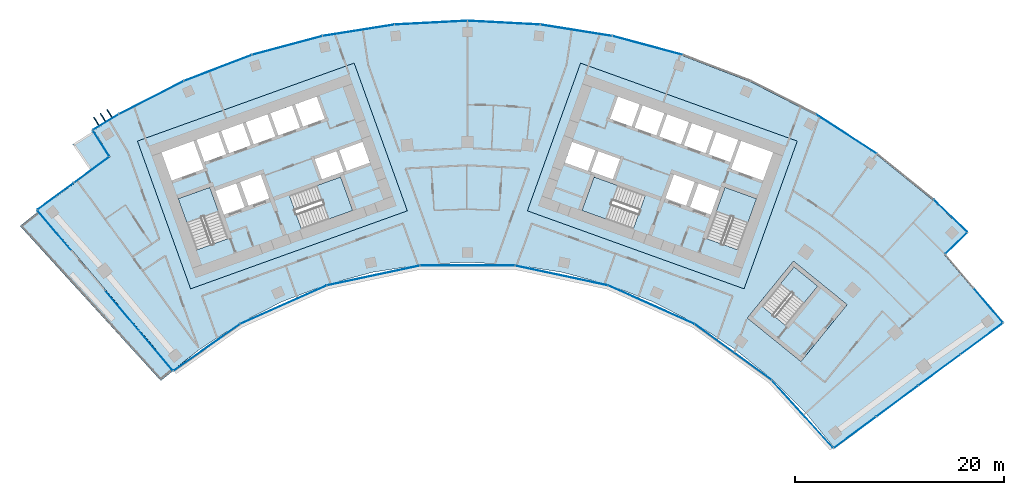
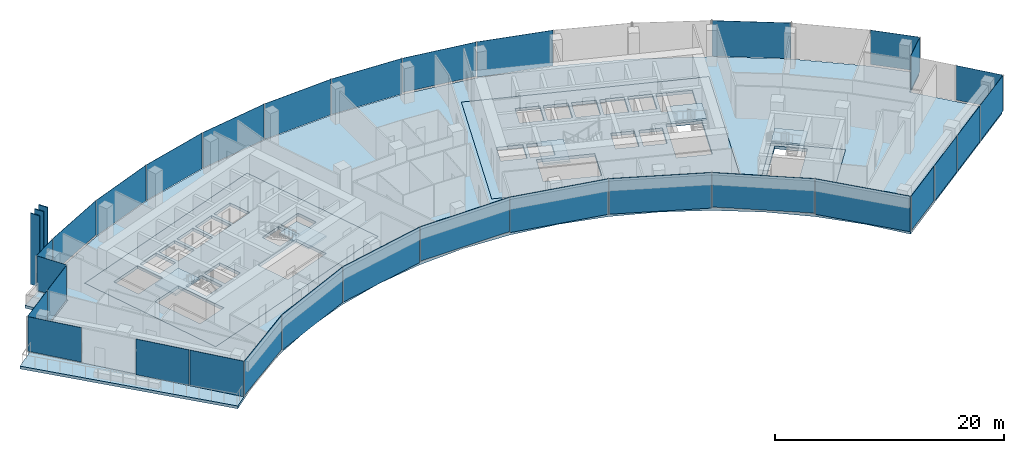
# One storey, part 9 of 18: 34 plates, 11 slabs, 13 elements without a shape of their own.
"""IFC4 building model written with IfcOpenShell, lengths in metres."""

from ifc_helpers import new_model, si_unit, direction, frame, origin, origin_2d, place, context, subcontext, project, spatial, polyline, rectangle, outline, extrude, material, layer, layer_set, type_object, element, aggregate, save


model = new_model("IFC4")

# Units and contexts
model_context = context("Model", 3, precision=1e-05, world=origin(), true_north=direction((0.0, 1.0)))
body_context = subcontext(model_context, "Body", "Model", "MODEL_VIEW")
ifc_project = project(units=[si_unit("LENGTHUNIT", "METRE"), si_unit("AREAUNIT", "SQUARE_METRE"), si_unit("VOLUMEUNIT", "CUBIC_METRE"), si_unit("PLANEANGLEUNIT", "RADIAN"), si_unit("MASSUNIT", "GRAM", prefix="KILO")], contexts=[model_context])

# Site, building, storey
site_placement = place(None, origin())
site = spatial("IfcSite", under=ifc_project, at=site_placement, CompositionType="ELEMENT")
building_placement = place(site_placement, origin())
building = spatial("IfcBuilding", under=site, at=building_placement, Name="Stone Belt Terrace Tower", CompositionType="ELEMENT")
storey_placement = place(building_placement, frame((0.0, 0.0, 239.0)))
storey = spatial("IfcBuildingStorey", under=building, at=storey_placement, Name="L58", CompositionType="ELEMENT", Elevation=239.0)

# Curtain wall, plates
ifc_material_1 = material(Name="Aluminium 6063-T6 anodised frame", Category="aluminium")
ifc_layer_1 = layer(ifc_material_1, 0.14990234375)
ifc_layer_set_1 = layer_set([ifc_layer_1], Name="CW-A unitised convex-face curtain wall")
curtain_wall_type_1 = type_object("IfcCurtainWallType", Name="CW-A unitised convex-face curtain wall", PredefinedType="NOTDEFINED", material=ifc_layer_set_1)
curtain_wall_1_placement = place(storey_placement, origin())
curtain_wall_1 = element("IfcCurtainWall", 1, at=curtain_wall_1_placement, inside=storey, type_object=curtain_wall_type_1, Name="CW-A convex face L58", PredefinedType="NOTDEFINED")
ifc_material_2 = material(Name="Clear double glazed unit")
ifc_layer_2 = layer(ifc_material_2, 0.031982421875)
ifc_layer_set_2 = layer_set([ifc_layer_2], Name="CW-A glass panel 32")
plate_type_1 = type_object("IfcPlateType", Name="CW-A glass panel 32", PredefinedType="CURTAIN_PANEL", material=ifc_layer_set_2)
plate_1_placement = place(storey_placement, frame((46.14599609375, 47.936767578125, 0.14013671875), z_axis=(0.0, 0.0, 1.0), x_axis=(-0.720604393579, 0.693346455933, 0.0)))
plate_1 = element("IfcPlate", 2, at=plate_1_placement, type_object=plate_type_1, Name="CW-A panel 1.1", PredefinedType="CURTAIN_PANEL", context=body_context, shape_type="SweptSolid", body=[
    extrude(rectangle(XDim=4.372314453125, YDim=0.031982421875, at=origin_2d()), origin(), (0.0, 0.0, 1.0), 3.659912109375),
])
plate_2_placement = place(storey_placement, frame((36.209716796875, 55.758056640625, 0.0), z_axis=(0.0, 0.0, 1.0), x_axis=(-0.838670567945, 0.544639035015, 0.0)))
plate_2 = element("IfcPlate", 3, at=plate_2_placement, type_object=plate_type_1, Name="CW-A panel 3.1", PredefinedType="CURTAIN_PANEL", context=body_context, shape_type="SweptSolid", body=[
    extrude(rectangle(XDim=6.90087890625, YDim=0.031982421875, at=origin_2d()), origin(), (0.0, 0.0, 1.0), 3.800048828125),
])
plate_3_placement = place(storey_placement, frame((17.207275390625, 64.218505859375, 0.0), z_axis=(0.0, 0.0, 1.0), x_axis=(-0.965925826289, 0.258819045103, 0.0)))
plate_3 = element("IfcPlate", 4, at=plate_3_placement, type_object=plate_type_1, Name="CW-A panel 6.1", PredefinedType="CURTAIN_PANEL", context=body_context, shape_type="SweptSolid", body=[
    extrude(rectangle(XDim=6.90087890625, YDim=0.031982421875, at=origin_2d()), origin(), (0.0, 0.0, 1.0), 3.800048828125),
])
plate_4_placement = place(storey_placement, frame((10.400390625, 65.665283203125, 0.14013671875), z_axis=(0.0, 0.0, 1.0), x_axis=(-0.987688340595, 0.15643446504, 0.0)))
plate_4 = element("IfcPlate", 5, at=plate_4_placement, type_object=plate_type_1, Name="CW-A panel 7.1", PredefinedType="CURTAIN_PANEL", context=body_context, shape_type="SweptSolid", body=[
    extrude(rectangle(XDim=6.90087890625, YDim=0.031982421875, at=origin_2d()), origin(), (0.0, 0.0, 1.0), 3.659912109375),
])
plate_5_placement = place(storey_placement, frame((3.4794921875, 66.392822265625, 0.0), z_axis=(0.0, 0.0, 1.0), x_axis=(-0.998629534755, 0.052335956243, 0.0)))
plate_5 = element("IfcPlate", 6, at=plate_5_placement, type_object=plate_type_1, Name="CW-A panel 8.1", PredefinedType="CURTAIN_PANEL", context=body_context, shape_type="SweptSolid", body=[
    extrude(rectangle(XDim=6.90087890625, YDim=0.031982421875, at=origin_2d()), origin(), (0.0, 0.0, 1.0), 3.800048828125),
])
plate_6_placement = place(storey_placement, frame((-3.4794921875, 66.392822265625, 0.0), z_axis=(0.0, 0.0, 1.0), x_axis=(-0.998629534755, -0.052335956243, 0.0)))
plate_6 = element("IfcPlate", 7, at=plate_6_placement, type_object=plate_type_1, Name="CW-A panel 9.1", PredefinedType="CURTAIN_PANEL", context=body_context, shape_type="SweptSolid", body=[
    extrude(rectangle(XDim=6.90087890625, YDim=0.031982421875, at=origin_2d()), origin(), (0.0, 0.0, 1.0), 3.800048828125),
])
plate_7_placement = place(storey_placement, frame((-10.400390625, 65.665283203125, 0.0), z_axis=(0.0, 0.0, 1.0), x_axis=(-0.987688340595, -0.15643446504, 0.0)))
plate_7 = element("IfcPlate", 8, at=plate_7_placement, type_object=plate_type_1, Name="CW-A panel 10.1", PredefinedType="CURTAIN_PANEL", context=body_context, shape_type="SweptSolid", body=[
    extrude(rectangle(XDim=6.90087890625, YDim=0.031982421875, at=origin_2d()), origin(), (0.0, 0.0, 1.0), 3.800048828125),
])
plate_8_placement = place(storey_placement, frame((-17.207275390625, 64.218505859375, 0.0), z_axis=(0.0, 0.0, 1.0), x_axis=(-0.965925826289, -0.258819045103, 0.0)))
plate_8 = element("IfcPlate", 9, at=plate_8_placement, type_object=plate_type_1, Name="CW-A panel 11.1", PredefinedType="CURTAIN_PANEL", context=body_context, shape_type="SweptSolid", body=[
    extrude(rectangle(XDim=6.90087890625, YDim=0.031982421875, at=origin_2d()), origin(), (0.0, 0.0, 1.0), 3.800048828125),
])
plate_9_placement = place(storey_placement, frame((-23.82568359375, 62.068115234375, 0.0), z_axis=(0.0, 0.0, 1.0), x_axis=(-0.933580426497, -0.358367949545, 0.0)))
plate_9 = element("IfcPlate", 10, at=plate_9_placement, type_object=plate_type_1, Name="CW-A panel 12.1", PredefinedType="CURTAIN_PANEL", context=body_context, shape_type="SweptSolid", body=[
    extrude(rectangle(XDim=6.90087890625, YDim=0.031982421875, at=origin_2d()), origin(), (0.0, 0.0, 1.0), 3.800048828125),
])
plate_10_placement = place(storey_placement, frame((-30.18310546875, 59.237548828125, 0.14013671875), z_axis=(0.0, 0.0, 1.0), x_axis=(-0.891006524188, -0.45399049974, 0.0)))
plate_10 = element("IfcPlate", 11, at=plate_10_placement, type_object=plate_type_1, Name="CW-A panel 13.1", PredefinedType="CURTAIN_PANEL", context=body_context, shape_type="SweptSolid", body=[
    extrude(rectangle(XDim=6.900634765625, YDim=0.031982421875, at=origin_2d()), origin(), (0.0, 0.0, 1.0), 3.659912109375),
])
plate_11_placement = place(storey_placement, frame((-34.521728515625, 56.907470703125, 0.0), z_axis=(0.0, 0.0, 1.0), x_axis=(-0.855106913292, -0.51845170155, 0.0)))
plate_11 = element("IfcPlate", 12, at=plate_11_placement, type_object=plate_type_1, Name="CW-A panel 14.1", PredefinedType="CURTAIN_PANEL", context=body_context, shape_type="SweptSolid", body=[
    extrude(rectangle(XDim=2.823486328125, YDim=0.031982421875, at=origin_2d()), origin(), (0.0, 0.0, 1.0), 3.800048828125),
])
aggregate(curtain_wall_1, [plate_1, plate_2, plate_3, plate_4, plate_5, plate_6, plate_7, plate_8, plate_9, plate_10, plate_11])

ifc_layer_3 = layer(ifc_material_1, 0.14990234375)
ifc_layer_set_3 = layer_set([ifc_layer_3], Name="CW-B unitised concave-face curtain wall")
curtain_wall_type_2 = type_object("IfcCurtainWallType", Name="CW-B unitised concave-face curtain wall", PredefinedType="NOTDEFINED", material=ifc_layer_set_3)
curtain_wall_2_placement = place(storey_placement, origin())
curtain_wall_2 = element("IfcCurtainWall", 13, at=curtain_wall_2_placement, inside=storey, type_object=curtain_wall_type_2, Name="CW-B concave face L58", PredefinedType="NOTDEFINED")
ifc_layer_4 = layer(ifc_material_2, 0.030029296875)
ifc_layer_set_4 = layer_set([ifc_layer_4], Name="CW-B glass panel 30")
plate_type_2 = type_object("IfcPlateType", Name="CW-B glass panel 30", PredefinedType="CURTAIN_PANEL", material=ifc_layer_set_4)
plate_12_placement = place(storey_placement, frame((-24.8896484375, 35.373291015625, 0.1201171875), z_axis=(0.0, 0.0, 1.0), x_axis=(0.818093414014, 0.575085355357, 0.0)))
plate_12 = element("IfcPlate", 14, at=plate_12_placement, type_object=plate_type_2, Name="CW-B panel 1.1", PredefinedType="CURTAIN_PANEL", context=body_context, shape_type="SweptSolid", body=[
    extrude(rectangle(XDim=7.702392578125, YDim=0.030029296875, at=origin_2d()), origin(), (0.0, 0.0, 1.0), 3.679931640625),
])
plate_13_placement = place(storey_placement, frame((-17.566162109375, 39.452880859375, 0.0), z_axis=(0.0, 0.0, 1.0), x_axis=(0.913545457643, 0.406736643076, 0.0)))
plate_13 = element("IfcPlate", 15, at=plate_13_placement, type_object=plate_type_2, Name="CW-B panel 2.1", PredefinedType="CURTAIN_PANEL", context=body_context, shape_type="SweptSolid", body=[
    extrude(rectangle(XDim=9.013916015625, YDim=0.030029296875, at=origin_2d()), origin(), (0.0, 0.0, 1.0), 3.800048828125),
])
plate_14_placement = place(storey_placement, frame((-8.97900390625, 42.242919921875, 0.0), z_axis=(0.0, 0.0, 1.0), x_axis=(0.978147600734, 0.207911690818, 0.0)))
plate_14 = element("IfcPlate", 16, at=plate_14_placement, type_object=plate_type_2, Name="CW-B panel 3.1", PredefinedType="CURTAIN_PANEL", context=body_context, shape_type="SweptSolid", body=[
    extrude(rectangle(XDim=9.0126953125, YDim=0.030029296875, at=origin_2d()), origin(), (0.0, 0.0, 1.0), 3.800048828125),
])
plate_15_placement = place(storey_placement, frame((0.0, 43.186767578125, 0.1201171875), z_axis=(0.0, 0.0, 1.0), x_axis=(1.0, 0.0, 0.0)))
plate_15 = element("IfcPlate", 17, at=plate_15_placement, type_object=plate_type_2, Name="CW-B panel 4.1", PredefinedType="CURTAIN_PANEL", context=body_context, shape_type="SweptSolid", body=[
    extrude(rectangle(XDim=9.0126953125, YDim=0.030029296875, at=origin_2d()), origin(), (0.0, 0.0, 1.0), 3.679931640625),
])
plate_16_placement = place(storey_placement, frame((8.97900390625, 42.242919921875, 0.0), z_axis=(0.0, 0.0, 1.0), x_axis=(0.978147600734, -0.207911690818, 0.0)))
plate_16 = element("IfcPlate", 18, at=plate_16_placement, type_object=plate_type_2, Name="CW-B panel 5.1", PredefinedType="CURTAIN_PANEL", context=body_context, shape_type="SweptSolid", body=[
    extrude(rectangle(XDim=9.0126953125, YDim=0.030029296875, at=origin_2d()), origin(), (0.0, 0.0, 1.0), 3.800048828125),
])
plate_17_placement = place(storey_placement, frame((17.565673828125, 39.453125, 0.0), z_axis=(0.0, 0.0, 1.0), x_axis=(0.913545457643, -0.406736643076, 0.0)))
plate_17 = element("IfcPlate", 19, at=plate_17_placement, type_object=plate_type_2, Name="CW-B panel 6.1", PredefinedType="CURTAIN_PANEL", context=body_context, shape_type="SweptSolid", body=[
    extrude(rectangle(XDim=9.0126953125, YDim=0.030029296875, at=origin_2d()), origin(), (0.0, 0.0, 1.0), 3.800048828125),
])
plate_18_placement = place(storey_placement, frame((25.384521484375, 34.938720703125, 0.1201171875), z_axis=(0.0, 0.0, 1.0), x_axis=(0.809016994375, -0.587785252292, 0.0)))
plate_18 = element("IfcPlate", 20, at=plate_18_placement, type_object=plate_type_2, Name="CW-B panel 7.1", PredefinedType="CURTAIN_PANEL", context=body_context, shape_type="SweptSolid", body=[
    extrude(rectangle(XDim=9.01318359375, YDim=0.030029296875, at=origin_2d()), origin(), (0.0, 0.0, 1.0), 3.679931640625),
])
plate_19_placement = place(storey_placement, frame((32.00537109375, 29.02197265625, 0.0), z_axis=(0.0, 0.0, 1.0), x_axis=(0.672072775041, -0.740485101166, 0.0)))
plate_19 = element("IfcPlate", 21, at=plate_19_placement, type_object=plate_type_2, Name="CW-B panel 8.1", PredefinedType="CURTAIN_PANEL", context=body_context, shape_type="SweptSolid", body=[
    extrude(rectangle(XDim=8.70947265625, YDim=0.030029296875, at=origin_2d()), origin(), (0.0, 0.0, 1.0), 3.800048828125),
])
aggregate(curtain_wall_2, [plate_12, plate_13, plate_14, plate_15, plate_16, plate_17, plate_18, plate_19])

ifc_layer_5 = layer(ifc_material_1, 0.14990234375)
ifc_layer_set_5 = layer_set([ifc_layer_5], Name="CW-C stick curtain wall, horn ends and notches")
curtain_wall_type_3 = type_object("IfcCurtainWallType", Name="CW-C stick curtain wall, horn ends and notches", PredefinedType="NOTDEFINED", material=ifc_layer_set_5)
curtain_wall_3_placement = place(storey_placement, origin())
curtain_wall_3 = element("IfcCurtainWall", 22, at=curtain_wall_3_placement, inside=storey, type_object=curtain_wall_type_3, Name="CW-C end face L58", PredefinedType="NOTDEFINED")
ifc_layer_6 = layer(ifc_material_2, 0.028076171875)
ifc_layer_set_6 = layer_set([ifc_layer_6], Name="CW-C glass panel 28")
plate_type_3 = type_object("IfcPlateType", Name="CW-C glass panel 28", PredefinedType="CURTAIN_PANEL", material=ifc_layer_set_6)
plate_20_placement = place(storey_placement, frame((37.033447265625, 27.2646484375, 0.1201171875), z_axis=(0.0, 0.0, 1.0), x_axis=(0.804329077539, 0.594184091865, 0.0)))
plate_20 = element("IfcPlate", 23, at=plate_20_placement, type_object=plate_type_3, Name="CW-C panel 1.1", PredefinedType="CURTAIN_PANEL", context=body_context, shape_type="SweptSolid", body=[
    extrude(rectangle(XDim=4.96533203125, YDim=0.028076171875, at=origin_2d()), origin(), (0.0, 0.0, 1.0), 3.679931640625),
])
plate_21_placement = place(storey_placement, frame((41.0654296875, 30.2431640625, 0.0), z_axis=(0.0, 0.0, 1.0), x_axis=(0.804329077539, 0.594184091865, 0.0)))
plate_21 = element("IfcPlate", 24, at=plate_21_placement, type_object=plate_type_3, Name="CW-C panel 2.1", PredefinedType="CURTAIN_PANEL", context=body_context, shape_type="SweptSolid", body=[
    extrude(rectangle(XDim=4.93994140625, YDim=0.028076171875, at=origin_2d()), origin(), (0.0, 0.0, 1.0), 3.800048828125),
])
plate_22_placement = place(storey_placement, frame((45.0869140625, 33.2138671875, 0.0), z_axis=(0.0, 0.0, 1.0), x_axis=(0.804329077539, 0.594184091865, 0.0)))
plate_22 = element("IfcPlate", 25, at=plate_22_placement, type_object=plate_type_3, Name="CW-C panel 3.1", PredefinedType="CURTAIN_PANEL", context=body_context, shape_type="SweptSolid", body=[
    extrude(rectangle(XDim=4.93994140625, YDim=0.028076171875, at=origin_2d()), origin(), (0.0, 0.0, 1.0), 3.800048828125),
])
plate_23_placement = place(storey_placement, frame((49.122802734375, 36.1953125, 0.0), z_axis=(0.0, 0.0, 1.0), x_axis=(0.804329077539, 0.594184091865, 0.0)))
plate_23 = element("IfcPlate", 26, at=plate_23_placement, type_object=plate_type_3, Name="CW-C panel 4.1", PredefinedType="CURTAIN_PANEL", context=body_context, shape_type="SweptSolid", body=[
    extrude(rectangle(XDim=4.974853515625, YDim=0.028076171875, at=origin_2d()), origin(), (0.0, 0.0, 1.0), 3.800048828125),
])
aggregate(curtain_wall_3, [plate_20, plate_21, plate_22, plate_23])

# Curtain wall, plate
curtain_wall_4_placement = place(storey_placement, origin())
curtain_wall_4 = element("IfcCurtainWall", 27, at=curtain_wall_4_placement, inside=storey, type_object=curtain_wall_type_3, Name="CW-C notch face L58", PredefinedType="NOTDEFINED")
plate_24_placement = place(storey_placement, frame((49.75390625, 39.402587890625, 0.1201171875), z_axis=(0.0, 0.0, 1.0), x_axis=(-0.647210945735, 0.762310954743, 0.0)))
plate_24 = element("IfcPlate", 28, at=plate_24_placement, type_object=plate_type_3, Name="CW-C panel 1.1", PredefinedType="CURTAIN_PANEL", context=body_context, shape_type="SweptSolid", body=[
    extrude(rectangle(XDim=4.268798828125, YDim=0.028076171875, at=origin_2d()), origin(), (0.0, 0.0, 1.0), 3.679931640625),
])
aggregate(curtain_wall_4, [plate_24])

curtain_wall_5_placement = place(storey_placement, origin())
curtain_wall_5 = element("IfcCurtainWall", 29, at=curtain_wall_5_placement, inside=storey, type_object=curtain_wall_type_3, Name="CW-C notch face L58", PredefinedType="NOTDEFINED")
plate_25_placement = place(storey_placement, frame((46.69677734375, 45.320068359375, 0.1201171875), z_axis=(0.0, 0.0, 1.0), x_axis=(0.71680345276, 0.697275275707, 0.0)))
plate_25 = element("IfcPlate", 30, at=plate_25_placement, type_object=plate_type_3, Name="CW-C panel 1.1", PredefinedType="CURTAIN_PANEL", context=body_context, shape_type="SweptSolid", body=[
    extrude(rectangle(XDim=2.859619140625, YDim=0.028076171875, at=origin_2d()), origin(), (0.0, 0.0, 1.0), 3.679931640625),
])
aggregate(curtain_wall_5, [plate_25])

curtain_wall_6_placement = place(storey_placement, origin())
curtain_wall_6 = element("IfcCurtainWall", 31, at=curtain_wall_6_placement, inside=storey, type_object=curtain_wall_type_3, Name="CW-C notch face L58", PredefinedType="NOTDEFINED")
plate_26_placement = place(storey_placement, frame((-34.985595703125, 54.86767578125, 0.1201171875), z_axis=(0.0, 0.0, 1.0), x_axis=(0.536665081869, -0.843795348353, 0.0)))
plate_26 = element("IfcPlate", 32, at=plate_26_placement, type_object=plate_type_3, Name="CW-C panel 1.1", PredefinedType="CURTAIN_PANEL", context=body_context, shape_type="SweptSolid", body=[
    extrude(rectangle(XDim=2.85888671875, YDim=0.028076171875, at=origin_2d()), origin(), (0.0, 0.0, 1.0), 3.679931640625),
])
aggregate(curtain_wall_6, [plate_26])

# Curtain wall, plates
curtain_wall_7_placement = place(storey_placement, origin())
curtain_wall_7 = element("IfcCurtainWall", 33, at=curtain_wall_7_placement, inside=storey, type_object=curtain_wall_type_3, Name="CW-C notch face L58", PredefinedType="NOTDEFINED")
plate_27_placement = place(storey_placement, frame((-35.897705078125, 52.3359375, 0.1201171875), z_axis=(0.0, 0.0, 1.0), x_axis=(-0.805576193691, -0.592492190799, 0.0)))
plate_27 = element("IfcPlate", 34, at=plate_27_placement, type_object=plate_type_3, Name="CW-C panel 1.1", PredefinedType="CURTAIN_PANEL", context=body_context, shape_type="SweptSolid", body=[
    extrude(rectangle(XDim=4.12060546875, YDim=0.028076171875, at=origin_2d()), origin(), (0.0, 0.0, 1.0), 3.679931640625),
])
plate_28_placement = place(storey_placement, frame((-39.3251953125, 49.815185546875, 0.0), z_axis=(0.0, 0.0, 1.0), x_axis=(-0.805576193691, -0.592492190799, 0.0)))
plate_28 = element("IfcPlate", 35, at=plate_28_placement, type_object=plate_type_3, Name="CW-C panel 2.1", PredefinedType="CURTAIN_PANEL", context=body_context, shape_type="SweptSolid", body=[
    extrude(rectangle(XDim=4.268798828125, YDim=0.028076171875, at=origin_2d()), origin(), (0.0, 0.0, 1.0), 3.800048828125),
])
aggregate(curtain_wall_7, [plate_27, plate_28])

curtain_wall_8_placement = place(storey_placement, origin())
curtain_wall_8 = element("IfcCurtainWall", 36, at=curtain_wall_8_placement, inside=storey, type_object=curtain_wall_type_3, Name="CW-C end face L58", PredefinedType="NOTDEFINED")
plate_29_placement = place(storey_placement, frame((-39.45068359375, 46.548828125, 0.1201171875), z_axis=(0.0, 0.0, 1.0), x_axis=(0.645607243812, -0.763669618839, 0.0)))
plate_29 = element("IfcPlate", 37, at=plate_29_placement, type_object=plate_type_3, Name="CW-C panel 1.1", PredefinedType="CURTAIN_PANEL", context=body_context, shape_type="SweptSolid", body=[
    extrude(rectangle(XDim=4.974853515625, YDim=0.028076171875, at=origin_2d()), origin(), (0.0, 0.0, 1.0), 3.679931640625),
])
plate_30_placement = place(storey_placement, frame((-32.983154296875, 38.898681640625, 0.0), z_axis=(0.0, 0.0, 1.0), x_axis=(0.645607243812, -0.763669618839, 0.0)))
plate_30 = element("IfcPlate", 38, at=plate_30_placement, type_object=plate_type_3, Name="CW-C panel 3.1", PredefinedType="CURTAIN_PANEL", context=body_context, shape_type="SweptSolid", body=[
    extrude(rectangle(XDim=4.93994140625, YDim=0.028076171875, at=origin_2d()), origin(), (0.0, 0.0, 1.0), 3.800048828125),
])
plate_31_placement = place(storey_placement, frame((-29.746826171875, 35.070556640625, 0.0), z_axis=(0.0, 0.0, 1.0), x_axis=(0.645607243812, -0.763669618839, 0.0)))
plate_31 = element("IfcPlate", 39, at=plate_31_placement, type_object=plate_type_3, Name="CW-C panel 4.1", PredefinedType="CURTAIN_PANEL", context=body_context, shape_type="SweptSolid", body=[
    extrude(rectangle(XDim=4.9658203125, YDim=0.028076171875, at=origin_2d()), origin(), (0.0, 0.0, 1.0), 3.800048828125),
])
aggregate(curtain_wall_8, [plate_29, plate_30, plate_31])

# Slabs
ifc_material_3 = material(Name="Concrete B40", Category="concrete")
ifc_layer_7 = layer(ifc_material_3, 0.320068359375)
ifc_layer_set_7 = layer_set([ifc_layer_7], Name="Core floor slab 320")
slab_type_1 = type_object("IfcSlabType", Name="Core floor slab 320", PredefinedType="FLOOR", material=ifc_layer_set_7)
slab_1_placement = place(storey_placement, frame((0.0, 0.0, -0.320068359375)))
element("IfcSlab", 40, at=slab_1_placement, inside=storey, type_object=slab_type_1, Name="Core A floor L58", PredefinedType="FLOOR", context=body_context, shape_type="SweptSolid", body=[
    extrude(outline(polyline([(-26.43505859375, 40.968994140625), (-5.735107421875, 48.4189453125), (-10.81396484375, 62.531982421875), (-31.513916015625, 55.0830078125), (-26.43505859375, 40.968994140625)]), holes=[polyline([(-24.60791015625, 50.659912109375), (-22.847900390625, 45.76806640625), (-25.85888671875, 44.68408203125), (-27.618896484375, 49.575927734375), (-24.60791015625, 50.659912109375)]), polyline([(-23.25, 48.06689453125), (-24.06298828125, 50.324951171875), (-22.0869140625, 51.035888671875), (-21.27392578125, 48.778076171875), (-23.25, 48.06689453125)]), polyline([(-20.89794921875, 48.9130859375), (-21.7109375, 51.1708984375), (-19.735107421875, 51.883056640625), (-18.922119140625, 49.6240234375), (-20.89794921875, 48.9130859375)]), polyline([(-28.24609375, 51.31689453125), (-29.2109375, 53.9990234375), (-26.153076171875, 55.09912109375), (-25.18798828125, 52.41796875), (-28.24609375, 51.31689453125)]), polyline([(-23.801025390625, 55.946044921875), (-23.0390625, 53.8291015625), (-25.10888671875, 53.083984375), (-25.87109375, 55.200927734375), (-23.801025390625, 55.946044921875)]), polyline([(-21.447998046875, 56.7919921875), (-20.68603515625, 54.675048828125), (-22.756103515625, 53.929931640625), (-23.51806640625, 56.047119140625), (-21.447998046875, 56.7919921875)]), polyline([(-10.955078125, 48.452880859375), (-15.846923828125, 46.69189453125), (-16.998046875, 49.89208984375), (-12.10595703125, 51.652099609375), (-10.955078125, 48.452880859375)]), polyline([(-11.847900390625, 52.116943359375), (-11.864990234375, 52.1640625), (-13.887939453125, 51.43603515625), (-14.58203125, 53.364990234375), (-12.511962890625, 54.110107421875), (-11.801025390625, 52.134033203125), (-11.847900390625, 52.116943359375)]), polyline([(-9.30810546875, 53.031005859375), (-11.51904296875, 52.235107421875), (-12.22998046875, 54.2109375), (-10.01904296875, 55.007080078125), (-9.30810546875, 53.031005859375)]), polyline([(-21.166015625, 56.89404296875), (-19.095947265625, 57.638916015625), (-18.333984375, 55.52197265625), (-20.404052734375, 54.777099609375), (-21.166015625, 56.89404296875)]), polyline([(-16.743896484375, 58.485107421875), (-15.98193359375, 56.367919921875), (-18.052001953125, 55.623046875), (-18.81396484375, 57.739990234375), (-16.743896484375, 58.485107421875)]), polyline([(-14.39111328125, 59.33203125), (-13.6298828125, 57.215087890625), (-15.699951171875, 56.469970703125), (-16.4609375, 58.5869140625), (-14.39111328125, 59.33203125)])]), origin(), (0.0, 0.0, 1.0), 0.320068359375),
])
slab_2_placement = place(storey_placement, frame((0.0, 0.0, -0.320068359375)))
element("IfcSlab", 41, at=slab_2_placement, inside=storey, type_object=slab_type_1, Name="Core B floor L58", PredefinedType="FLOOR", context=body_context, shape_type="SweptSolid", body=[
    extrude(outline(polyline([(26.43505859375, 40.968994140625), (31.513916015625, 55.0830078125), (10.81396484375, 62.531982421875), (5.735107421875, 48.4189453125), (26.43505859375, 40.968994140625)]), holes=[polyline([(12.10595703125, 51.652099609375), (16.998046875, 49.89208984375), (15.846923828125, 46.69189453125), (10.955078125, 48.452880859375), (12.10595703125, 51.652099609375)]), polyline([(12.511962890625, 54.110107421875), (14.58203125, 53.364990234375), (13.887939453125, 51.43603515625), (11.864990234375, 52.1640625), (11.847900390625, 52.116943359375), (11.801025390625, 52.134033203125), (12.511962890625, 54.110107421875)]), polyline([(9.30810546875, 53.031005859375), (10.01904296875, 55.007080078125), (12.22998046875, 54.2109375), (11.51904296875, 52.235107421875), (9.30810546875, 53.031005859375)]), polyline([(18.333984375, 55.52197265625), (19.095947265625, 57.638916015625), (21.166015625, 56.89404296875), (20.404052734375, 54.777099609375), (18.333984375, 55.52197265625)]), polyline([(16.743896484375, 58.485107421875), (18.81396484375, 57.739990234375), (18.052001953125, 55.623046875), (15.98193359375, 56.367919921875), (16.743896484375, 58.485107421875)]), polyline([(14.39111328125, 59.33203125), (16.4609375, 58.5869140625), (15.699951171875, 56.469970703125), (13.6298828125, 57.215087890625), (14.39111328125, 59.33203125)]), polyline([(27.618896484375, 49.575927734375), (25.85888671875, 44.68408203125), (22.847900390625, 45.76806640625), (24.60791015625, 50.659912109375), (27.618896484375, 49.575927734375)]), polyline([(23.25, 48.06689453125), (21.27392578125, 48.778076171875), (22.0869140625, 51.035888671875), (24.06298828125, 50.324951171875), (23.25, 48.06689453125)]), polyline([(20.89794921875, 48.9130859375), (18.922119140625, 49.6240234375), (19.735107421875, 51.883056640625), (21.7109375, 51.1708984375), (20.89794921875, 48.9130859375)]), polyline([(26.153076171875, 55.09912109375), (29.2109375, 53.9990234375), (28.24609375, 51.31689453125), (25.18798828125, 52.41796875), (26.153076171875, 55.09912109375)]), polyline([(23.801025390625, 55.946044921875), (25.87109375, 55.200927734375), (25.10888671875, 53.083984375), (23.0390625, 53.8291015625), (23.801025390625, 55.946044921875)]), polyline([(21.447998046875, 56.7919921875), (23.51806640625, 56.047119140625), (22.756103515625, 53.929931640625), (20.68603515625, 54.675048828125), (21.447998046875, 56.7919921875)])]), origin(), (0.0, 0.0, 1.0), 0.320068359375),
])
slab_3_placement = place(storey_placement, frame((0.0, 0.0, -0.320068359375)))
element("IfcSlab", 42, at=slab_3_placement, inside=storey, type_object=slab_type_1, Name="Exit stair ST3B floor L58", PredefinedType="FLOOR", context=body_context, shape_type="SweptSolid", body=[
    extrude(outline(polyline([(26.741943359375, 38.18408203125), (31.866943359375, 34.02392578125), (36.278076171875, 39.458984375), (31.154052734375, 43.618896484375), (26.741943359375, 38.18408203125)]), holes=[polyline([(30.407958984375, 37.462890625), (28.156005859375, 39.291015625), (31.2119140625, 43.055908203125), (33.464111328125, 41.22802734375), (30.407958984375, 37.462890625)])]), origin(), (0.0, 0.0, 1.0), 0.320068359375),
])
ifc_layer_8 = layer(ifc_material_3, 0.320068359375)
ifc_layer_set_8 = layer_set([ifc_layer_8], Name="Floor slab 320 B40")
slab_type_2 = type_object("IfcSlabType", Name="Floor slab 320 B40", PredefinedType="FLOOR", material=ifc_layer_set_8)
slab_4_placement = place(storey_placement, frame((0.0, 0.0, -0.320068359375)))
element("IfcSlab", 43, at=slab_4_placement, inside=storey, type_object=slab_type_2, Name="Floor slab L58", PredefinedType="FLOOR", context=body_context, shape_type="SweptSolid", body=[
    extrude(outline(polyline([(-35.688232421875, 56.1123046875), (-33.25, 57.5908203125), (-27.048095703125, 60.750732421875), (-20.549560546875, 63.245361328125), (-13.826171875, 65.046875), (-6.951171875, 66.1357421875), (0.0, 66.5), (6.951171875, 66.1357421875), (13.826171875, 65.046875), (20.549560546875, 63.245361328125), (27.048095703125, 60.750732421875), (33.25, 57.5908203125), (39.087646484375, 53.799560546875), (44.497314453125, 49.419189453125), (47.66748046875, 46.368896484375), (45.51708984375, 44.277099609375), (51.074951171875, 37.730712890625), (34.98828125, 25.846923828125), (32.326904296875, 29.107177734375), (29.107177734375, 32.326904296875), (25.568603515625, 35.192138671875), (21.75, 37.672119140625), (17.693115234375, 39.7392578125), (13.442138671875, 41.37109375), (9.044189453125, 42.54931640625), (4.547119140625, 43.26171875), (0.0, 43.5), (-4.547119140625, 43.26171875), (-9.044189453125, 42.54931640625), (-13.442138671875, 41.37109375), (-17.693115234375, 39.7392578125), (-21.75, 37.672119140625), (-25.568603515625, 35.192138671875), (-28.083984375, 33.219482421875), (-40.99609375, 48.492919921875), (-34.078125, 53.5810546875), (-35.688232421875, 56.1123046875)]), holes=[polyline([(-31.51416015625, 55.082763671875), (-26.434814453125, 40.968994140625), (-5.734619140625, 48.418701171875), (-10.81396484375, 62.532470703125), (-31.51416015625, 55.082763671875)]), polyline([(31.51416015625, 55.082763671875), (10.81396484375, 62.532470703125), (5.734619140625, 48.418701171875), (26.434814453125, 40.968994140625), (31.51416015625, 55.082763671875)]), polyline([(36.2783203125, 39.459228515625), (31.15380859375, 43.61865234375), (26.742431640625, 38.18359375), (31.86669921875, 34.024169921875), (36.2783203125, 39.459228515625)])]), origin(), (0.0, 0.0, 1.0), 0.320068359375),
])

# Stair, slab
stair_type = type_object("IfcStairType", Name="Exit stair 1500", PredefinedType="HALF_TURN_STAIR", material=ifc_material_3)
stair_1_placement = place(storey_placement, origin())
stair_1 = element("IfcStair", 44, at=stair_1_placement, inside=storey, type_object=stair_type, Name="L58 Exit stair 1 core A", PredefinedType="HALF_TURN_STAIR")
ifc_layer_9 = layer(ifc_material_3, 0.199951171875)
ifc_layer_set_9 = layer_set([ifc_layer_9], Name="Stair landing 200")
slab_type_3 = type_object("IfcSlabType", Name="Stair landing 200", PredefinedType="LANDING", material=ifc_layer_set_9)
slab_5_placement = place(storey_placement, frame((0.0, 0.0, 1.699951171875)))
slab_5 = element("IfcSlab", 45, at=slab_5_placement, type_object=slab_type_3, Name="ST1A landing 1", PredefinedType="LANDING", context=body_context, shape_type="SweptSolid", body=[
    extrude(outline(polyline([(-23.79541015625, 48.40087890625), (-24.6083984375, 50.659912109375), (-27.619384765625, 49.576171875), (-26.806396484375, 47.3173828125), (-23.79541015625, 48.40087890625)])), origin(), (0.0, 0.0, 1.0), 0.199951171875),
])
aggregate(stair_1, [slab_5])

stair_2_placement = place(storey_placement, origin())
stair_2 = element("IfcStair", 46, at=stair_2_placement, inside=storey, type_object=stair_type, Name="L58 Exit stair 2 core A", PredefinedType="HALF_TURN_STAIR")
slab_6_placement = place(storey_placement, frame((0.0, 0.0, 1.699951171875)))
slab_6 = element("IfcSlab", 47, at=slab_6_placement, type_object=slab_type_3, Name="ST2A landing 1", PredefinedType="LANDING", context=body_context, shape_type="SweptSolid", body=[
    extrude(outline(polyline([(-13.213623046875, 47.64013671875), (-10.95458984375, 48.453125), (-12.10595703125, 51.652099609375), (-14.36474609375, 50.839111328125), (-13.213623046875, 47.64013671875)])), origin(), (0.0, 0.0, 1.0), 0.199951171875),
])
aggregate(stair_2, [slab_6])

stair_3_placement = place(storey_placement, origin())
stair_3 = element("IfcStair", 48, at=stair_3_placement, inside=storey, type_object=stair_type, Name="L58 Exit stair 1 core B", PredefinedType="HALF_TURN_STAIR")
slab_7_placement = place(storey_placement, frame((0.0, 0.0, 1.699951171875)))
slab_7 = element("IfcSlab", 49, at=slab_7_placement, type_object=slab_type_3, Name="ST1B landing 1", PredefinedType="LANDING", context=body_context, shape_type="SweptSolid", body=[
    extrude(outline(polyline([(26.806396484375, 47.3173828125), (27.619384765625, 49.576171875), (24.6083984375, 50.659912109375), (23.79541015625, 48.40087890625), (26.806396484375, 47.3173828125)])), origin(), (0.0, 0.0, 1.0), 0.199951171875),
])
aggregate(stair_3, [slab_7])

stair_4_placement = place(storey_placement, origin())
stair_4 = element("IfcStair", 50, at=stair_4_placement, inside=storey, type_object=stair_type, Name="L58 Exit stair 2 core B", PredefinedType="HALF_TURN_STAIR")
slab_8_placement = place(storey_placement, frame((0.0, 0.0, 1.699951171875)))
slab_8 = element("IfcSlab", 51, at=slab_8_placement, type_object=slab_type_3, Name="ST2B landing 1", PredefinedType="LANDING", context=body_context, shape_type="SweptSolid", body=[
    extrude(outline(polyline([(14.36474609375, 50.839111328125), (12.10595703125, 51.652099609375), (10.95458984375, 48.453125), (13.213623046875, 47.64013671875), (14.36474609375, 50.839111328125)])), origin(), (0.0, 0.0, 1.0), 0.199951171875),
])
aggregate(stair_4, [slab_8])

stair_5_placement = place(storey_placement, origin())
stair_5 = element("IfcStair", 52, at=stair_5_placement, inside=storey, type_object=stair_type, Name="L58 Exit stair 3B", PredefinedType="HALF_TURN_STAIR")
slab_9_placement = place(storey_placement, frame((0.0, 0.0, 1.699951171875)))
slab_9 = element("IfcSlab", 53, at=slab_9_placement, type_object=slab_type_3, Name="ST3B landing 1", PredefinedType="LANDING", context=body_context, shape_type="SweptSolid", body=[
    extrude(outline(polyline([(32.17138671875, 39.635986328125), (33.4638671875, 41.228271484375), (31.21240234375, 43.055908203125), (29.919921875, 41.463623046875), (32.17138671875, 39.635986328125)])), origin(), (0.0, 0.0, 1.0), 0.199951171875),
])
aggregate(stair_5, [slab_9])

# Slabs
ifc_layer_10 = layer(ifc_material_3, 0.300048828125)
ifc_layer_set_10 = layer_set([ifc_layer_10], Name="Terrace slab 300 B40")
slab_type_4 = type_object("IfcSlabType", Name="Terrace slab 300 B40", PredefinedType="FLOOR", material=ifc_layer_set_10)
slab_10_placement = place(storey_placement, frame((0.0, 0.0, -0.300048828125)))
element("IfcSlab", 54, at=slab_10_placement, inside=storey, type_object=slab_type_4, Name="Terrace slab L58-stack_terrace-1", PredefinedType="FLOOR", context=body_context, shape_type="SweptSolid", body=[
    extrude(outline(polyline([(-29.273193359375, 32.1767578125), (-29.107177734375, 32.326904296875), (-25.760009765625, 35.037353515625), (-25.762451171875, 35.040283203125), (-28.083984375, 33.219482421875), (-40.92236328125, 48.40576171875), (-42.73193359375, 46.970458984375), (-29.273193359375, 32.1767578125)])), origin(), (0.0, 0.0, 1.0), 0.300048828125),
])
slab_11_placement = place(storey_placement, frame((0.0, 0.0, -0.300048828125)))
element("IfcSlab", 55, at=slab_11_placement, inside=storey, type_object=slab_type_4, Name="Terrace slab L58-notch_roof-2", PredefinedType="FLOOR", context=body_context, shape_type="SweptSolid", body=[
    extrude(outline(polyline([(-37.70458984375, 54.77783203125), (-36.003662109375, 52.306640625), (-38.38671875, 50.41650390625), (-38.384521484375, 50.413818359375), (-34.078125, 53.5810546875), (-35.660400390625, 56.068603515625), (-37.70458984375, 54.77783203125)])), origin(), (0.0, 0.0, 1.0), 0.300048828125),
])

# Plates
ifc_material_4 = material(Name="Terracotta coloured glazed ceramic", Category="masonry")
ifc_layer_11 = layer(ifc_material_4, 0.10009765625)
ifc_layer_set_11 = layer_set([ifc_layer_11], Name="Terracotta fin 100 x 900")
plate_type_4 = type_object("IfcPlateType", Name="Terracotta fin 100 x 900", PredefinedType="SHEET", material=ifc_layer_set_11)
for number, where, z_axis, x_axis, name in (
    (56, (-34.185302734375, 57.725341796875, 0.0), (0.0, 0.0, 1.0), (-0.51845170155, 0.855106913292, 0.0), "FIN L58 14.2"),
    (57, (-34.811767578125, 57.345458984375, 0.0), (0.0, 0.0, 1.0), (-0.51845170155, 0.855106913292, 0.0), "FIN L58 14.3"),
    (58, (-35.438232421875, 56.965576171875, 0.0), (0.0, 0.0, 1.0), (-0.51845170155, 0.855106913292, 0.0), "FIN L58 14.4"),
):
    element("IfcPlate", number, at=place(storey_placement, frame(where, z_axis=z_axis, x_axis=x_axis)), inside=storey, type_object=plate_type_4, Name=name, PredefinedType="SHEET", context=body_context, shape_type="SweptSolid", body=[
        extrude(rectangle(XDim=0.89990234375, YDim=0.10009765625, at=origin_2d()), origin(), (0.0, 0.0, 1.0), 7.60009765625),
    ])

save(model, "model.ifc")
